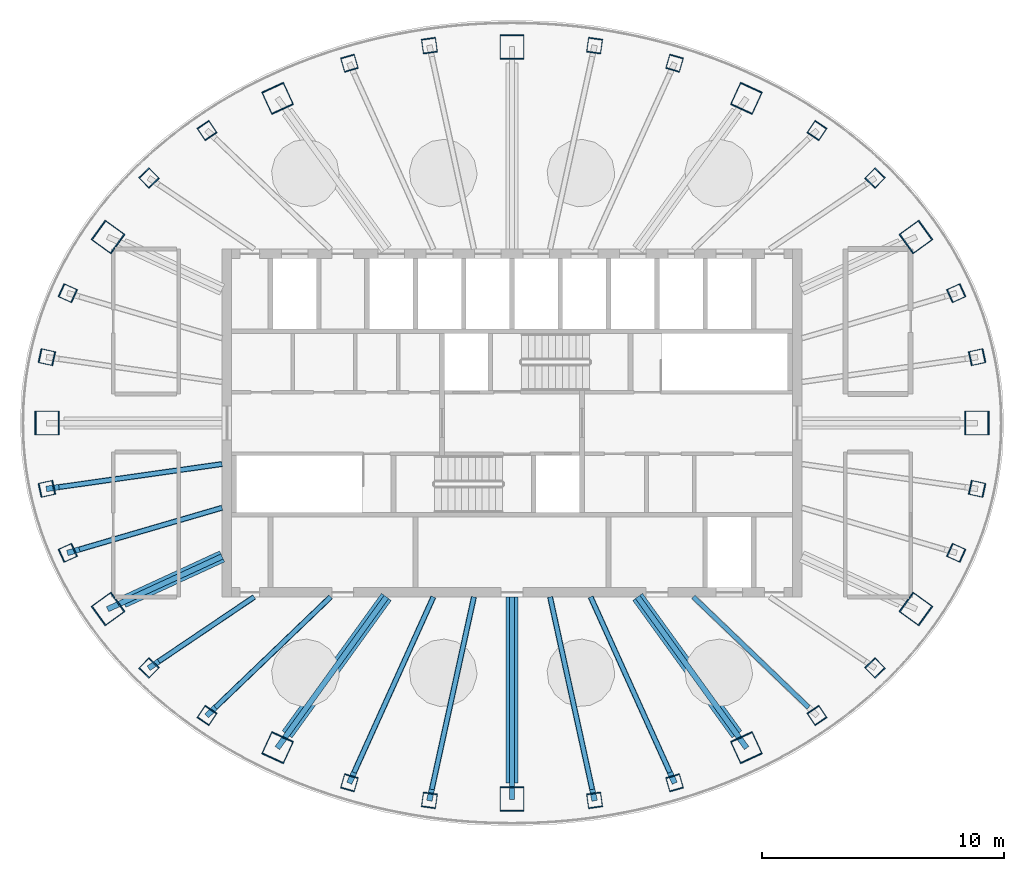
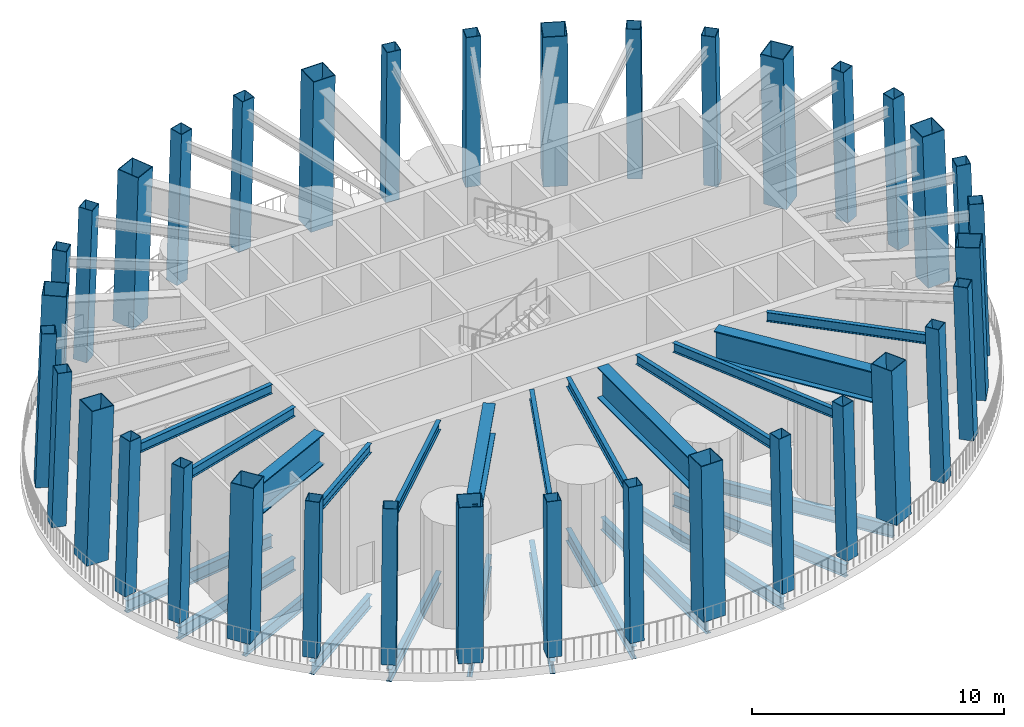
# One storey, part 1 of 12: 36 columns, 25 beams.
"""IFC4 building model written with IfcOpenShell, lengths in metres."""

from ifc_helpers import new_model, si_unit, direction, frame, origin, origin_2d, place, context, subcontext, project, spatial, hollow_rectangle, i_section, extrude, material, material_profile, profile_set, type_object, element, save


model = new_model("IFC4")

# Units and contexts
model_context = context("Model", 3, precision=1e-05, world=origin(), true_north=direction((0.0, 1.0)))
body_context = subcontext(model_context, "Body", "Model", "MODEL_VIEW")
ifc_project = project(units=[si_unit("LENGTHUNIT", "METRE"), si_unit("AREAUNIT", "SQUARE_METRE"), si_unit("VOLUMEUNIT", "CUBIC_METRE"), si_unit("PLANEANGLEUNIT", "RADIAN"), si_unit("MASSUNIT", "GRAM", prefix="KILO")], contexts=[model_context])

# Site, building, storey
site_placement = place(None, origin())
site = spatial("IfcSite", under=ifc_project, at=site_placement, CompositionType="ELEMENT")
building_placement = place(site_placement, origin())
building = spatial("IfcBuilding", under=site, at=building_placement, Name="Siaravel Broadcast Tower", CompositionType="ELEMENT")
storey_placement = place(building_placement, frame((0.0, 0.0, 265.199951171875)))
storey = spatial("IfcBuildingStorey", under=building, at=storey_placement, Name="L65", CompositionType="ELEMENT", Elevation=265.199951171875)

# Columns
ifc_material_1 = material(Name="Concrete C70/85", Category="concrete")
ifc_material_profile_1 = material_profile(ifc_material_1, hollow_rectangle(XDim=1.0, YDim=1.0, WallThickness=0.031982421875, at=origin_2d()))
ifc_profile_set_1 = profile_set([ifc_material_profile_1], Name="Concrete C70/85")
column_type_1 = type_object("IfcColumnType", Name="COL-CFT BOX 1000x1000x32", PredefinedType="COLUMN", material=ifc_profile_set_1)
column_1_placement = place(storey_placement, frame((19.263427734375, 0.0, 0.0), z_axis=(-0.034587192, 0.0, 0.999401684), x_axis=(0.0, -1.0, 0.0)))
element("IfcColumn", 1, at=column_1_placement, inside=storey, type_object=column_type_1, Name="Megacolumn MC01", PredefinedType="COLUMN", context=body_context, shape_type="SweptSolid", body=[
    extrude(hollow_rectangle(XDim=1.0, YDim=1.0, WallThickness=0.031982421875, at=origin_2d()), origin(), (0.0, 0.0, 1.0), 7.404541015625),
])
column_2_placement = place(storey_placement, frame((16.736083984375, 7.706298828125, 0.0), z_axis=(-0.02993968, -0.014178483, 0.999451142), x_axis=(0.58479336, -0.811160032, 0.006010807)))
element("IfcColumn", 2, at=column_2_placement, inside=storey, type_object=column_type_1, Name="Megacolumn MC02", PredefinedType="COLUMN", context=body_context, shape_type="SweptSolid", body=[
    extrude(hollow_rectangle(XDim=1.0, YDim=1.0, WallThickness=0.031982421875, at=origin_2d()), origin(), (0.0, 0.0, 1.0), 7.404296875),
])
column_3_placement = place(storey_placement, frame((9.71142578125, 13.450927734375, 0.0), z_axis=(-0.017279668, -0.02453449, 0.999549635), x_axis=(0.908911912, -0.416952184, 0.005478454)))
element("IfcColumn", 3, at=column_3_placement, inside=storey, type_object=column_type_1, Name="Megacolumn MC03", PredefinedType="COLUMN", context=body_context, shape_type="SweptSolid", body=[
    extrude(hollow_rectangle(XDim=1.0, YDim=1.0, WallThickness=0.031982421875, at=origin_2d()), origin(), (0.0, 0.0, 1.0), 7.403564453125),
])
column_4_placement = place(storey_placement, frame((0.0, 15.580078125, 0.0), z_axis=(0.0, -0.028361125, 0.999597742), x_axis=(1.0, 0.0, 0.0)))
element("IfcColumn", 4, at=column_4_placement, inside=storey, type_object=column_type_1, Name="Megacolumn MC04", PredefinedType="COLUMN", context=body_context, shape_type="SweptSolid", body=[
    extrude(hollow_rectangle(XDim=1.0, YDim=1.0, WallThickness=0.031982421875, at=origin_2d()), origin(), (0.0, 0.0, 1.0), 7.403076171875),
])
column_5_placement = place(storey_placement, frame((-9.71142578125, 13.450927734375, 0.0), z_axis=(0.017279668, -0.02453449, 0.999549635), x_axis=(0.908911912, 0.416952184, -0.005478454)))
element("IfcColumn", 5, at=column_5_placement, inside=storey, type_object=column_type_1, Name="Megacolumn MC05", PredefinedType="COLUMN", context=body_context, shape_type="SweptSolid", body=[
    extrude(hollow_rectangle(XDim=1.0, YDim=1.0, WallThickness=0.031982421875, at=origin_2d()), origin(), (0.0, 0.0, 1.0), 7.403564453125),
])
column_6_placement = place(storey_placement, frame((-16.736083984375, 7.706298828125, 0.0), z_axis=(0.02993968, -0.014178483, 0.999451142), x_axis=(0.58479336, 0.811160032, -0.006010807)))
element("IfcColumn", 6, at=column_6_placement, inside=storey, type_object=column_type_1, Name="Megacolumn MC06", PredefinedType="COLUMN", context=body_context, shape_type="SweptSolid", body=[
    extrude(hollow_rectangle(XDim=1.0, YDim=1.0, WallThickness=0.031982421875, at=origin_2d()), origin(), (0.0, 0.0, 1.0), 7.404296875),
])
column_7_placement = place(storey_placement, frame((-19.263427734375, 0.0, 0.0), z_axis=(0.034587192, 0.0, 0.999401684), x_axis=(0.0, 1.0, 0.0)))
element("IfcColumn", 7, at=column_7_placement, inside=storey, type_object=column_type_1, Name="Megacolumn MC07", PredefinedType="COLUMN", context=body_context, shape_type="SweptSolid", body=[
    extrude(hollow_rectangle(XDim=1.0, YDim=1.0, WallThickness=0.031982421875, at=origin_2d()), origin(), (0.0, 0.0, 1.0), 7.404541015625),
])
column_8_placement = place(storey_placement, frame((-16.736083984375, -7.706298828125, 0.0), z_axis=(0.02993968, 0.014178483, 0.999451142), x_axis=(-0.58479336, 0.811160032, 0.006010807)))
element("IfcColumn", 8, at=column_8_placement, inside=storey, type_object=column_type_1, Name="Megacolumn MC08", PredefinedType="COLUMN", context=body_context, shape_type="SweptSolid", body=[
    extrude(hollow_rectangle(XDim=1.0, YDim=1.0, WallThickness=0.031982421875, at=origin_2d()), origin(), (0.0, 0.0, 1.0), 7.404296875),
])
column_9_placement = place(storey_placement, frame((-9.71142578125, -13.450927734375, 0.0), z_axis=(0.017279668, 0.02453449, 0.999549635), x_axis=(-0.908911912, 0.416952184, 0.005478454)))
element("IfcColumn", 9, at=column_9_placement, inside=storey, type_object=column_type_1, Name="Megacolumn MC09", PredefinedType="COLUMN", context=body_context, shape_type="SweptSolid", body=[
    extrude(hollow_rectangle(XDim=1.0, YDim=1.0, WallThickness=0.031982421875, at=origin_2d()), origin(), (0.0, 0.0, 1.0), 7.403564453125),
])
column_10_placement = place(storey_placement, frame((0.0, -15.580078125, 0.0), z_axis=(0.0, 0.028361125, 0.999597742), x_axis=(-1.0, 0.0, 0.0)))
element("IfcColumn", 10, at=column_10_placement, inside=storey, type_object=column_type_1, Name="Megacolumn MC10", PredefinedType="COLUMN", context=body_context, shape_type="SweptSolid", body=[
    extrude(hollow_rectangle(XDim=1.0, YDim=1.0, WallThickness=0.031982421875, at=origin_2d()), origin(), (0.0, 0.0, 1.0), 7.403076171875),
])
column_11_placement = place(storey_placement, frame((9.71142578125, -13.450927734375, 0.0), z_axis=(-0.017279668, 0.02453449, 0.999549635), x_axis=(-0.908911912, -0.416952184, -0.005478454)))
element("IfcColumn", 11, at=column_11_placement, inside=storey, type_object=column_type_1, Name="Megacolumn MC11", PredefinedType="COLUMN", context=body_context, shape_type="SweptSolid", body=[
    extrude(hollow_rectangle(XDim=1.0, YDim=1.0, WallThickness=0.031982421875, at=origin_2d()), origin(), (0.0, 0.0, 1.0), 7.403564453125),
])
column_12_placement = place(storey_placement, frame((16.736083984375, -7.706298828125, 0.0), z_axis=(-0.02993968, 0.014178483, 0.999451142), x_axis=(-0.58479336, -0.811160032, -0.006010807)))
element("IfcColumn", 12, at=column_12_placement, inside=storey, type_object=column_type_1, Name="Megacolumn MC12", PredefinedType="COLUMN", context=body_context, shape_type="SweptSolid", body=[
    extrude(hollow_rectangle(XDim=1.0, YDim=1.0, WallThickness=0.031982421875, at=origin_2d()), origin(), (0.0, 0.0, 1.0), 7.404296875),
])
ifc_material_2 = material(Name="Concrete C50/60", Category="concrete")
ifc_material_profile_2 = material_profile(ifc_material_2, hollow_rectangle(XDim=0.60009765625, YDim=0.60009765625, WallThickness=0.02490234375, at=origin_2d()))
ifc_profile_set_2 = profile_set([ifc_material_profile_2], Name="Concrete C50/60")
column_type_2 = type_object("IfcColumnType", Name="COL-CFT BOX 600x600x25", PredefinedType="COLUMN", material=ifc_profile_set_2)
column_13_placement = place(storey_placement, frame((19.27197265625, 2.72802734375, 0.0), z_axis=(-0.034059852, -0.004912796, 0.99940772), x_axis=(0.21296706, -0.977056295, 0.002455003)))
element("IfcColumn", 13, at=column_13_placement, inside=storey, type_object=column_type_2, Name="Perimeter column C01", PredefinedType="COLUMN", context=body_context, shape_type="SweptSolid", body=[
    extrude(hollow_rectangle(XDim=0.60009765625, YDim=0.60009765625, WallThickness=0.02490234375, at=origin_2d()), origin(), (0.0, 0.0, 1.0), 7.404541015625),
])
column_14_placement = place(storey_placement, frame((18.404296875, 5.3798828125, 0.0), z_axis=(-0.032477793, -0.009660907, 0.999425765), x_axis=(0.410307078, -0.911936229, 0.004518332)))
element("IfcColumn", 14, at=column_14_placement, inside=storey, type_object=column_type_2, Name="Perimeter column C02", PredefinedType="COLUMN", context=body_context, shape_type="SweptSolid", body=[
    extrude(hollow_rectangle(XDim=0.60009765625, YDim=0.60009765625, WallThickness=0.02490234375, at=origin_2d()), origin(), (0.0, 0.0, 1.0), 7.404296875),
])
column_15_placement = place(storey_placement, frame((15.04052734375, 10.149169921875, 0.0), z_axis=(-0.026511305, -0.018201791, 0.999482789), x_axis=(0.721084308, -0.692816746, 0.006509747)))
element("IfcColumn", 15, at=column_15_placement, inside=storey, type_object=column_type_2, Name="Perimeter column C03", PredefinedType="COLUMN", context=body_context, shape_type="SweptSolid", body=[
    extrude(hollow_rectangle(XDim=0.60009765625, YDim=0.60009765625, WallThickness=0.02490234375, at=origin_2d()), origin(), (0.0, 0.0, 1.0), 7.404052734375),
])
column_16_placement = place(storey_placement, frame((12.63623046875, 12.118408203125, 0.0), z_axis=(-0.022225407, -0.021730776, 0.999516786), x_axis=(0.829477504, -0.558504573, 0.006301782)))
element("IfcColumn", 16, at=column_16_placement, inside=storey, type_object=column_type_2, Name="Perimeter column C04", PredefinedType="COLUMN", context=body_context, shape_type="SweptSolid", body=[
    extrude(hollow_rectangle(XDim=0.60009765625, YDim=0.60009765625, WallThickness=0.02490234375, at=origin_2d()), origin(), (0.0, 0.0, 1.0), 7.40380859375),
])
column_17_placement = place(storey_placement, frame((6.736083984375, 14.907470703125, 0.0), z_axis=(-0.011805877, -0.026645666, 0.999575225), x_axis=(0.960364691, -0.278719123, 0.003912953)))
element("IfcColumn", 17, at=column_17_placement, inside=storey, type_object=column_type_2, Name="Perimeter column C05", PredefinedType="COLUMN", context=body_context, shape_type="SweptSolid", body=[
    extrude(hollow_rectangle(XDim=0.60009765625, YDim=0.60009765625, WallThickness=0.02490234375, at=origin_2d()), origin(), (0.0, 0.0, 1.0), 7.4033203125),
])
for number, where, z_axis, x_axis, name in (
    (18, (3.421630859375, 15.634765625, 0.0), (-0.006001975, -0.027899292, 0.99959272), (0.990225435, -0.139461007, 0.002053282), "Perimeter column C06"),
    (19, (-3.421630859375, 15.634765625, 0.0), (0.006001975, -0.027899292, 0.99959272), (0.990225435, 0.139461007, -0.002053282), "Perimeter column C07"),
):
    element("IfcColumn", number, at=place(storey_placement, frame(where, z_axis=z_axis, x_axis=x_axis)), inside=storey, type_object=column_type_2, Name=name, PredefinedType="COLUMN", context=body_context, shape_type="SweptSolid", body=[
        extrude(hollow_rectangle(XDim=0.60009765625, YDim=0.60009765625, WallThickness=0.02490234375, at=origin_2d()), origin(), (0.0, 0.0, 1.0), 7.403076171875),
    ])
column_18_placement = place(storey_placement, frame((-6.736083984375, 14.907470703125, 0.0), z_axis=(0.011805877, -0.026645666, 0.999575225), x_axis=(0.960364691, 0.278719123, -0.003912953)))
element("IfcColumn", 20, at=column_18_placement, inside=storey, type_object=column_type_2, Name="Perimeter column C08", PredefinedType="COLUMN", context=body_context, shape_type="SweptSolid", body=[
    extrude(hollow_rectangle(XDim=0.60009765625, YDim=0.60009765625, WallThickness=0.02490234375, at=origin_2d()), origin(), (0.0, 0.0, 1.0), 7.4033203125),
])
column_19_placement = place(storey_placement, frame((-12.63623046875, 12.118408203125, 0.0), z_axis=(0.022225407, -0.021730776, 0.999516786), x_axis=(0.829477504, 0.558504573, -0.006301782)))
element("IfcColumn", 21, at=column_19_placement, inside=storey, type_object=column_type_2, Name="Perimeter column C09", PredefinedType="COLUMN", context=body_context, shape_type="SweptSolid", body=[
    extrude(hollow_rectangle(XDim=0.60009765625, YDim=0.60009765625, WallThickness=0.02490234375, at=origin_2d()), origin(), (0.0, 0.0, 1.0), 7.40380859375),
])
column_20_placement = place(storey_placement, frame((-15.04052734375, 10.149169921875, 0.0), z_axis=(0.026511305, -0.018201791, 0.999482789), x_axis=(0.721084308, 0.692816746, -0.006509747)))
element("IfcColumn", 22, at=column_20_placement, inside=storey, type_object=column_type_2, Name="Perimeter column C10", PredefinedType="COLUMN", context=body_context, shape_type="SweptSolid", body=[
    extrude(hollow_rectangle(XDim=0.60009765625, YDim=0.60009765625, WallThickness=0.02490234375, at=origin_2d()), origin(), (0.0, 0.0, 1.0), 7.404052734375),
])
column_21_placement = place(storey_placement, frame((-18.404296875, 5.3798828125, 0.0), z_axis=(0.032477793, -0.009660907, 0.999425765), x_axis=(0.410307078, 0.911936229, -0.004518332)))
element("IfcColumn", 23, at=column_21_placement, inside=storey, type_object=column_type_2, Name="Perimeter column C11", PredefinedType="COLUMN", context=body_context, shape_type="SweptSolid", body=[
    extrude(hollow_rectangle(XDim=0.60009765625, YDim=0.60009765625, WallThickness=0.02490234375, at=origin_2d()), origin(), (0.0, 0.0, 1.0), 7.404296875),
])
for number, where, z_axis, x_axis, name in (
    (24, (-19.27197265625, 2.72802734375, 0.0), (0.034059852, -0.004912796, 0.99940772), (0.21296706, 0.977056295, -0.002455003), "Perimeter column C12"),
    (25, (-19.27197265625, -2.72802734375, 0.0), (0.034059852, 0.004912796, 0.99940772), (-0.21296706, 0.977056295, 0.002455003), "Perimeter column C13"),
):
    element("IfcColumn", number, at=place(storey_placement, frame(where, z_axis=z_axis, x_axis=x_axis)), inside=storey, type_object=column_type_2, Name=name, PredefinedType="COLUMN", context=body_context, shape_type="SweptSolid", body=[
        extrude(hollow_rectangle(XDim=0.60009765625, YDim=0.60009765625, WallThickness=0.02490234375, at=origin_2d()), origin(), (0.0, 0.0, 1.0), 7.404541015625),
    ])
column_22_placement = place(storey_placement, frame((-18.404296875, -5.3798828125, 0.0), z_axis=(0.032477793, 0.009660907, 0.999425765), x_axis=(-0.410307078, 0.911936229, 0.004518332)))
element("IfcColumn", 26, at=column_22_placement, inside=storey, type_object=column_type_2, Name="Perimeter column C14", PredefinedType="COLUMN", context=body_context, shape_type="SweptSolid", body=[
    extrude(hollow_rectangle(XDim=0.60009765625, YDim=0.60009765625, WallThickness=0.02490234375, at=origin_2d()), origin(), (0.0, 0.0, 1.0), 7.404296875),
])
column_23_placement = place(storey_placement, frame((-15.04052734375, -10.149169921875, 0.0), z_axis=(0.026511305, 0.018201791, 0.999482789), x_axis=(-0.721084308, 0.692816746, 0.006509747)))
element("IfcColumn", 27, at=column_23_placement, inside=storey, type_object=column_type_2, Name="Perimeter column C15", PredefinedType="COLUMN", context=body_context, shape_type="SweptSolid", body=[
    extrude(hollow_rectangle(XDim=0.60009765625, YDim=0.60009765625, WallThickness=0.02490234375, at=origin_2d()), origin(), (0.0, 0.0, 1.0), 7.404052734375),
])
column_24_placement = place(storey_placement, frame((-12.63623046875, -12.118408203125, 0.0), z_axis=(0.022225407, 0.021730776, 0.999516786), x_axis=(-0.829477504, 0.558504573, 0.006301782)))
element("IfcColumn", 28, at=column_24_placement, inside=storey, type_object=column_type_2, Name="Perimeter column C16", PredefinedType="COLUMN", context=body_context, shape_type="SweptSolid", body=[
    extrude(hollow_rectangle(XDim=0.60009765625, YDim=0.60009765625, WallThickness=0.02490234375, at=origin_2d()), origin(), (0.0, 0.0, 1.0), 7.40380859375),
])
column_25_placement = place(storey_placement, frame((-6.736083984375, -14.907470703125, 0.0), z_axis=(0.011805877, 0.026645666, 0.999575225), x_axis=(-0.960364691, 0.278719123, 0.003912953)))
element("IfcColumn", 29, at=column_25_placement, inside=storey, type_object=column_type_2, Name="Perimeter column C17", PredefinedType="COLUMN", context=body_context, shape_type="SweptSolid", body=[
    extrude(hollow_rectangle(XDim=0.60009765625, YDim=0.60009765625, WallThickness=0.02490234375, at=origin_2d()), origin(), (0.0, 0.0, 1.0), 7.4033203125),
])
for number, where, z_axis, x_axis, name in (
    (30, (-3.421630859375, -15.634765625, 0.0), (0.006001975, 0.027899292, 0.99959272), (-0.990225435, 0.139461007, 0.002053282), "Perimeter column C18"),
    (31, (3.421630859375, -15.634765625, 0.0), (-0.006001975, 0.027899292, 0.99959272), (-0.990225435, -0.139461007, -0.002053282), "Perimeter column C19"),
):
    element("IfcColumn", number, at=place(storey_placement, frame(where, z_axis=z_axis, x_axis=x_axis)), inside=storey, type_object=column_type_2, Name=name, PredefinedType="COLUMN", context=body_context, shape_type="SweptSolid", body=[
        extrude(hollow_rectangle(XDim=0.60009765625, YDim=0.60009765625, WallThickness=0.02490234375, at=origin_2d()), origin(), (0.0, 0.0, 1.0), 7.403076171875),
    ])
column_26_placement = place(storey_placement, frame((6.736083984375, -14.907470703125, 0.0), z_axis=(-0.011805877, 0.026645666, 0.999575225), x_axis=(-0.960364691, -0.278719123, -0.003912953)))
element("IfcColumn", 32, at=column_26_placement, inside=storey, type_object=column_type_2, Name="Perimeter column C20", PredefinedType="COLUMN", context=body_context, shape_type="SweptSolid", body=[
    extrude(hollow_rectangle(XDim=0.60009765625, YDim=0.60009765625, WallThickness=0.02490234375, at=origin_2d()), origin(), (0.0, 0.0, 1.0), 7.4033203125),
])
column_27_placement = place(storey_placement, frame((12.63623046875, -12.118408203125, 0.0), z_axis=(-0.022225407, 0.021730776, 0.999516786), x_axis=(-0.829477504, -0.558504573, -0.006301782)))
element("IfcColumn", 33, at=column_27_placement, inside=storey, type_object=column_type_2, Name="Perimeter column C21", PredefinedType="COLUMN", context=body_context, shape_type="SweptSolid", body=[
    extrude(hollow_rectangle(XDim=0.60009765625, YDim=0.60009765625, WallThickness=0.02490234375, at=origin_2d()), origin(), (0.0, 0.0, 1.0), 7.40380859375),
])
column_28_placement = place(storey_placement, frame((15.04052734375, -10.149169921875, 0.0), z_axis=(-0.026511305, 0.018201791, 0.999482789), x_axis=(-0.721084308, -0.692816746, -0.006509747)))
element("IfcColumn", 34, at=column_28_placement, inside=storey, type_object=column_type_2, Name="Perimeter column C22", PredefinedType="COLUMN", context=body_context, shape_type="SweptSolid", body=[
    extrude(hollow_rectangle(XDim=0.60009765625, YDim=0.60009765625, WallThickness=0.02490234375, at=origin_2d()), origin(), (0.0, 0.0, 1.0), 7.404052734375),
])
column_29_placement = place(storey_placement, frame((18.404296875, -5.3798828125, 0.0), z_axis=(-0.032477793, 0.009660907, 0.999425765), x_axis=(-0.410307078, -0.911936229, -0.004518332)))
element("IfcColumn", 35, at=column_29_placement, inside=storey, type_object=column_type_2, Name="Perimeter column C23", PredefinedType="COLUMN", context=body_context, shape_type="SweptSolid", body=[
    extrude(hollow_rectangle(XDim=0.60009765625, YDim=0.60009765625, WallThickness=0.02490234375, at=origin_2d()), origin(), (0.0, 0.0, 1.0), 7.404296875),
])
column_30_placement = place(storey_placement, frame((19.27197265625, -2.72802734375, 0.0), z_axis=(-0.034059852, 0.004912796, 0.99940772), x_axis=(-0.21296706, -0.977056295, -0.002455003)))
element("IfcColumn", 36, at=column_30_placement, inside=storey, type_object=column_type_2, Name="Perimeter column C24", PredefinedType="COLUMN", context=body_context, shape_type="SweptSolid", body=[
    extrude(hollow_rectangle(XDim=0.60009765625, YDim=0.60009765625, WallThickness=0.02490234375, at=origin_2d()), origin(), (0.0, 0.0, 1.0), 7.404541015625),
])

# Beams
ifc_material_3 = material(Name="Steel S355", Category="steel")
ifc_material_profile_3 = material_profile(ifc_material_3, i_section(OverallWidth=0.2275390625, OverallDepth=0.6025390625, WebThickness=0.010498046875, FlangeThickness=0.014892578125, FilletRadius=0.0126953125, at=origin_2d()))
ifc_profile_set_3 = profile_set([ifc_material_profile_3], Name="Steel S355")
beam_type_1 = type_object("IfcBeamType", Name="BM-UB 610x229x101", PredefinedType="BEAM", material=ifc_profile_set_3)
beam_1_placement = place(storey_placement, frame((-19.27197265625, -2.72802734375, -0.701171875), z_axis=(0.990130836, 0.140146096, 0.0), x_axis=(-0.140146096, 0.990130836, 0.0)))
element("IfcBeam", 37, at=beam_1_placement, inside=storey, type_object=beam_type_1, Name="Radial beam RB20", PredefinedType="BEAM", context=body_context, shape_type="SweptSolid", body=[
    extrude(i_section(OverallWidth=0.2275390625, OverallDepth=0.6025390625, WebThickness=0.010498046875, FlangeThickness=0.014892578125, FilletRadius=0.0126953125, at=origin_2d()), origin(), (0.0, 0.0, 1.0), 7.344482421875),
])
beam_2_placement = place(storey_placement, frame((-18.404296875, -5.3798828125, -0.701171875), z_axis=(0.959832627, 0.280573215, 0.0), x_axis=(-0.280573215, 0.959832627, 0.0)))
element("IfcBeam", 38, at=beam_2_placement, inside=storey, type_object=beam_type_1, Name="Radial beam RB21", PredefinedType="BEAM", context=body_context, shape_type="SweptSolid", body=[
    extrude(i_section(OverallWidth=0.2275390625, OverallDepth=0.6025390625, WebThickness=0.010498046875, FlangeThickness=0.014892578125, FilletRadius=0.0126953125, at=origin_2d()), origin(), (0.0, 0.0, 1.0), 6.67236328125),
])
beam_3_placement = place(storey_placement, frame((-16.736083984375, -7.706298828125, -0.701171875), z_axis=(0.908322208, 0.418271163, 0.0), x_axis=(-0.418271163, 0.908322208, 0.0)))
element("IfcBeam", 39, at=beam_3_placement, inside=storey, type_object=beam_type_1, Name="Radial beam RB22", PredefinedType="BEAM", context=body_context, shape_type="SweptSolid", body=[
    extrude(i_section(OverallWidth=0.2275390625, OverallDepth=0.6025390625, WebThickness=0.010498046875, FlangeThickness=0.014892578125, FilletRadius=0.0126953125, at=origin_2d()), origin(), (0.0, 0.0, 1.0), 5.214111328125),
])
beam_4_placement = place(storey_placement, frame((-15.04052734375, -10.149169921875, -0.701171875), z_axis=(0.828931332, 0.559350379, 0.0), x_axis=(-0.559350379, 0.828931332, 0.0)))
element("IfcBeam", 40, at=beam_4_placement, inside=storey, type_object=beam_type_1, Name="Radial beam RB23", PredefinedType="BEAM", context=body_context, shape_type="SweptSolid", body=[
    extrude(i_section(OverallWidth=0.2275390625, OverallDepth=0.6025390625, WebThickness=0.010498046875, FlangeThickness=0.014892578125, FilletRadius=0.0126953125, at=origin_2d()), origin(), (0.0, 0.0, 1.0), 5.2724609375),
])
beam_5_placement = place(storey_placement, frame((-12.63623046875, -12.118408203125, -0.701171875), z_axis=(0.72172641, 0.692178437, 0.0), x_axis=(-0.692178437, 0.72172641, 0.0)))
element("IfcBeam", 41, at=beam_5_placement, inside=storey, type_object=beam_type_1, Name="Radial beam RB24", PredefinedType="BEAM", context=body_context, shape_type="SweptSolid", body=[
    extrude(i_section(OverallWidth=0.2275390625, OverallDepth=0.6025390625, WebThickness=0.010498046875, FlangeThickness=0.014892578125, FilletRadius=0.0126953125, at=origin_2d()), origin(), (0.0, 0.0, 1.0), 7.105712890625),
])
beam_6_placement = place(storey_placement, frame((-9.71142578125, -13.450927734375, -0.701171875), z_axis=(0.585349492, 0.810781087, 0.0), x_axis=(-0.810781087, 0.585349492, 0.0)))
element("IfcBeam", 42, at=beam_6_placement, inside=storey, type_object=beam_type_1, Name="Radial beam RB25", PredefinedType="BEAM", context=body_context, shape_type="SweptSolid", body=[
    extrude(i_section(OverallWidth=0.2275390625, OverallDepth=0.6025390625, WebThickness=0.010498046875, FlangeThickness=0.014892578125, FilletRadius=0.0126953125, at=origin_2d()), origin(), (0.0, 0.0, 1.0), 7.709716796875),
])
beam_7_placement = place(storey_placement, frame((-6.736083984375, -14.907470703125, -0.701171875), z_axis=(0.411768466, 0.9112885, 0.0), x_axis=(-0.9112885, 0.411768466, 0.0)))
element("IfcBeam", 43, at=beam_7_placement, inside=storey, type_object=beam_type_1, Name="Radial beam RB26", PredefinedType="BEAM", context=body_context, shape_type="SweptSolid", body=[
    extrude(i_section(OverallWidth=0.2275390625, OverallDepth=0.6025390625, WebThickness=0.010498046875, FlangeThickness=0.014892578125, FilletRadius=0.0126953125, at=origin_2d()), origin(), (0.0, 0.0, 1.0), 8.457763671875),
])
beam_8_placement = place(storey_placement, frame((-3.421630859375, -15.634765625, -0.701171875), z_axis=(0.213788792, 0.976879907, 0.0), x_axis=(-0.976879907, 0.213788792, 0.0)))
element("IfcBeam", 44, at=beam_8_placement, inside=storey, type_object=beam_type_1, Name="Radial beam RB27", PredefinedType="BEAM", context=body_context, shape_type="SweptSolid", body=[
    extrude(i_section(OverallWidth=0.2275390625, OverallDepth=0.6025390625, WebThickness=0.010498046875, FlangeThickness=0.014892578125, FilletRadius=0.0126953125, at=origin_2d()), origin(), (0.0, 0.0, 1.0), 8.634521484375),
])
beam_9_placement = place(storey_placement, frame((0.0, -15.580078125, -0.701171875), z_axis=(0.0, 1.0, 0.0), x_axis=(-1.0, 0.0, 0.0)))
element("IfcBeam", 45, at=beam_9_placement, inside=storey, type_object=beam_type_1, Name="Radial beam RB28", PredefinedType="BEAM", context=body_context, shape_type="SweptSolid", body=[
    extrude(i_section(OverallWidth=0.2275390625, OverallDepth=0.6025390625, WebThickness=0.010498046875, FlangeThickness=0.014892578125, FilletRadius=0.0126953125, at=origin_2d()), origin(), (0.0, 0.0, 1.0), 8.380126953125),
])
beam_10_placement = place(storey_placement, frame((3.421630859375, -15.634765625, -0.701171875), z_axis=(-0.213788792, 0.976879907, 0.0), x_axis=(-0.976879907, -0.213788792, 0.0)))
element("IfcBeam", 46, at=beam_10_placement, inside=storey, type_object=beam_type_1, Name="Radial beam RB29", PredefinedType="BEAM", context=body_context, shape_type="SweptSolid", body=[
    extrude(i_section(OverallWidth=0.2275390625, OverallDepth=0.6025390625, WebThickness=0.010498046875, FlangeThickness=0.014892578125, FilletRadius=0.0126953125, at=origin_2d()), origin(), (0.0, 0.0, 1.0), 8.634521484375),
])
beam_11_placement = place(storey_placement, frame((6.736083984375, -14.907470703125, -0.701171875), z_axis=(-0.411768466, 0.9112885, 0.0), x_axis=(-0.9112885, -0.411768466, 0.0)))
element("IfcBeam", 47, at=beam_11_placement, inside=storey, type_object=beam_type_1, Name="Radial beam RB30", PredefinedType="BEAM", context=body_context, shape_type="SweptSolid", body=[
    extrude(i_section(OverallWidth=0.2275390625, OverallDepth=0.6025390625, WebThickness=0.010498046875, FlangeThickness=0.014892578125, FilletRadius=0.0126953125, at=origin_2d()), origin(), (0.0, 0.0, 1.0), 8.457763671875),
])
beam_12_placement = place(storey_placement, frame((9.71142578125, -13.450927734375, -0.701171875), z_axis=(-0.585349492, 0.810781087, 0.0), x_axis=(-0.810781087, -0.585349492, 0.0)))
element("IfcBeam", 48, at=beam_12_placement, inside=storey, type_object=beam_type_1, Name="Radial beam RB31", PredefinedType="BEAM", context=body_context, shape_type="SweptSolid", body=[
    extrude(i_section(OverallWidth=0.2275390625, OverallDepth=0.6025390625, WebThickness=0.010498046875, FlangeThickness=0.014892578125, FilletRadius=0.0126953125, at=origin_2d()), origin(), (0.0, 0.0, 1.0), 7.709716796875),
])
ifc_material_profile_4 = material_profile(ifc_material_3, i_section(OverallWidth=0.18994140625, OverallDepth=0.453369140625, WebThickness=0.008544921875, FlangeThickness=0.0126953125, FilletRadius=0.01025390625, at=origin_2d()))
ifc_profile_set_4 = profile_set([ifc_material_profile_4], Name="Steel S355")
beam_type_2 = type_object("IfcBeamType", Name="Crown radial beam UB 457x191x67", PredefinedType="BEAM", material=ifc_profile_set_4)
beam_13_placement = place(storey_placement, frame((-18.75244140625, -2.65380859375, 6.67333984375), z_axis=(0.990134792, 0.140118142, 0.0), x_axis=(-0.140118142, 0.990134792, 0.0)))
element("IfcBeam", 49, at=beam_13_placement, inside=storey, type_object=beam_type_2, Name="Terrace radial beam 20", PredefinedType="BEAM", context=body_context, shape_type="SweptSolid", body=[
    extrude(i_section(OverallWidth=0.18994140625, OverallDepth=0.453369140625, WebThickness=0.008544921875, FlangeThickness=0.0126953125, FilletRadius=0.01025390625, at=origin_2d()), origin(), (0.0, 0.0, 1.0), 6.81982421875),
])
beam_14_placement = place(storey_placement, frame((-17.904541015625, -5.232666015625, 6.67333984375), z_axis=(0.959850065, 0.280513552, 0.0), x_axis=(-0.280513552, 0.959850065, 0.0)))
element("IfcBeam", 50, at=beam_14_placement, inside=storey, type_object=beam_type_2, Name="Terrace radial beam 21", PredefinedType="BEAM", context=body_context, shape_type="SweptSolid", body=[
    extrude(i_section(OverallWidth=0.18994140625, OverallDepth=0.453369140625, WebThickness=0.008544921875, FlangeThickness=0.0126953125, FilletRadius=0.01025390625, at=origin_2d()), origin(), (0.0, 0.0, 1.0), 6.151611328125),
])
beam_15_placement = place(storey_placement, frame((-14.62060546875, -9.86328125, 6.67333984375), z_axis=(0.829001381, 0.559246556, 0.0), x_axis=(-0.559246556, 0.829001381, 0.0)))
element("IfcBeam", 51, at=beam_15_placement, inside=storey, type_object=beam_type_2, Name="Terrace radial beam 23", PredefinedType="BEAM", context=body_context, shape_type="SweptSolid", body=[
    extrude(i_section(OverallWidth=0.18994140625, OverallDepth=0.453369140625, WebThickness=0.008544921875, FlangeThickness=0.0126953125, FilletRadius=0.01025390625, at=origin_2d()), origin(), (0.0, 0.0, 1.0), 4.762451171875),
])
beam_16_placement = place(storey_placement, frame((-12.276611328125, -11.770751953125, 6.67333984375), z_axis=(0.72181121, 0.692090007, 0.0), x_axis=(-0.692090007, 0.72181121, 0.0)))
element("IfcBeam", 52, at=beam_16_placement, inside=storey, type_object=beam_type_2, Name="Terrace radial beam 24", PredefinedType="BEAM", context=body_context, shape_type="SweptSolid", body=[
    extrude(i_section(OverallWidth=0.18994140625, OverallDepth=0.453369140625, WebThickness=0.008544921875, FlangeThickness=0.0126953125, FilletRadius=0.01025390625, at=origin_2d()), origin(), (0.0, 0.0, 1.0), 6.604248046875),
])
beam_17_placement = place(storey_placement, frame((-6.537353515625, -14.46435546875, 6.67333984375), z_axis=(0.411847642, 0.91125272, 0.0), x_axis=(-0.91125272, 0.411847642, 0.0)))
element("IfcBeam", 53, at=beam_17_placement, inside=storey, type_object=beam_type_2, Name="Terrace radial beam 26", PredefinedType="BEAM", context=body_context, shape_type="SweptSolid", body=[
    extrude(i_section(OverallWidth=0.18994140625, OverallDepth=0.453369140625, WebThickness=0.008544921875, FlangeThickness=0.0126953125, FilletRadius=0.01025390625, at=origin_2d()), origin(), (0.0, 0.0, 1.0), 7.971923828125),
])
for number, where, z_axis, x_axis, name in (
    (54, (-3.319580078125, -15.164306640625, 6.67333984375), (0.213837979, 0.976869141, 0.0), (-0.976869141, 0.213837979, 0.0), "Terrace radial beam 27"),
    (55, (3.319580078125, -15.164306640625, 6.67333984375), (-0.213837979, 0.976869141, 0.0), (-0.976869141, -0.213837979, 0.0), "Terrace radial beam 29"),
):
    element("IfcBeam", number, at=place(storey_placement, frame(where, z_axis=z_axis, x_axis=x_axis)), inside=storey, type_object=beam_type_2, Name=name, PredefinedType="BEAM", context=body_context, shape_type="SweptSolid", body=[
        extrude(i_section(OverallWidth=0.18994140625, OverallDepth=0.453369140625, WebThickness=0.008544921875, FlangeThickness=0.0126953125, FilletRadius=0.01025390625, at=origin_2d()), origin(), (0.0, 0.0, 1.0), 8.15283203125),
    ])
beam_18_placement = place(storey_placement, frame((6.537353515625, -14.46435546875, 6.67333984375), z_axis=(-0.411847642, 0.91125272, 0.0), x_axis=(-0.91125272, -0.411847642, 0.0)))
element("IfcBeam", 56, at=beam_18_placement, inside=storey, type_object=beam_type_2, Name="Terrace radial beam 30", PredefinedType="BEAM", context=body_context, shape_type="SweptSolid", body=[
    extrude(i_section(OverallWidth=0.18994140625, OverallDepth=0.453369140625, WebThickness=0.008544921875, FlangeThickness=0.0126953125, FilletRadius=0.01025390625, at=origin_2d()), origin(), (0.0, 0.0, 1.0), 7.971923828125),
])
beam_19_placement = place(storey_placement, frame((12.276611328125, -11.770751953125, 6.67333984375), z_axis=(-0.72181121, 0.692090007, 0.0), x_axis=(-0.692090007, -0.72181121, 0.0)))
element("IfcBeam", 57, at=beam_19_placement, inside=storey, type_object=beam_type_2, Name="Terrace radial beam 32", PredefinedType="BEAM", context=body_context, shape_type="SweptSolid", body=[
    extrude(i_section(OverallWidth=0.18994140625, OverallDepth=0.453369140625, WebThickness=0.008544921875, FlangeThickness=0.0126953125, FilletRadius=0.01025390625, at=origin_2d()), origin(), (0.0, 0.0, 1.0), 6.604248046875),
])
ifc_material_4 = material(Name="Steel S460", Category="steel")
ifc_material_profile_5 = material_profile(ifc_material_4, i_section(OverallWidth=0.5, OverallDepth=1.5, WebThickness=0.02490234375, FlangeThickness=0.050048828125, at=origin_2d()))
ifc_profile_set_5 = profile_set([ifc_material_profile_5], Name="Steel S460")
beam_type_3 = type_object("IfcBeamType", Name="Crown transfer beam PG 1500x500x25/50", PredefinedType="BEAM", material=ifc_profile_set_5)
beam_20_placement = place(storey_placement, frame((-16.08740234375, -7.40478515625, 6.150146484375), z_axis=(0.908394021, 0.418115179, 0.0), x_axis=(-0.418115179, 0.908394021, 0.0)))
element("IfcBeam", 58, at=beam_20_placement, inside=storey, type_object=beam_type_3, Name="Crown transfer beam 22", PredefinedType="BEAM", context=body_context, shape_type="SweptSolid", body=[
    extrude(i_section(OverallWidth=0.5, OverallDepth=1.5, WebThickness=0.02490234375, FlangeThickness=0.050048828125, at=origin_2d()), origin(), (0.0, 0.0, 1.0), 4.49951171875),
])
beam_21_placement = place(storey_placement, frame((-9.30810546875, -12.88818359375, 6.150146484375), z_axis=(0.585489283, 0.810680146, 0.0), x_axis=(-0.810680146, 0.585489283, 0.0)))
element("IfcBeam", 59, at=beam_21_placement, inside=storey, type_object=beam_type_3, Name="Crown transfer beam 25", PredefinedType="BEAM", context=body_context, shape_type="SweptSolid", body=[
    extrude(i_section(OverallWidth=0.5, OverallDepth=1.5, WebThickness=0.02490234375, FlangeThickness=0.050048828125, at=origin_2d()), origin(), (0.0, 0.0, 1.0), 7.0166015625),
])
beam_22_placement = place(storey_placement, frame((0.0, -14.900146484375, 6.150146484375), z_axis=(0.0, 1.0, 0.0), x_axis=(-1.0, 0.0, 0.0)))
element("IfcBeam", 60, at=beam_22_placement, inside=storey, type_object=beam_type_3, Name="Crown transfer beam 28", PredefinedType="BEAM", context=body_context, shape_type="SweptSolid", body=[
    extrude(i_section(OverallWidth=0.5, OverallDepth=1.5, WebThickness=0.02490234375, FlangeThickness=0.050048828125, at=origin_2d()), origin(), (0.0, 0.0, 1.0), 7.7001953125),
])
beam_23_placement = place(storey_placement, frame((9.30810546875, -12.88818359375, 6.150146484375), z_axis=(-0.585489283, 0.810680146, 0.0), x_axis=(-0.810680146, -0.585489283, 0.0)))
element("IfcBeam", 61, at=beam_23_placement, inside=storey, type_object=beam_type_3, Name="Crown transfer beam 31", PredefinedType="BEAM", context=body_context, shape_type="SweptSolid", body=[
    extrude(i_section(OverallWidth=0.5, OverallDepth=1.5, WebThickness=0.02490234375, FlangeThickness=0.050048828125, at=origin_2d()), origin(), (0.0, 0.0, 1.0), 7.0166015625),
])

save(model, "model.ifc")
